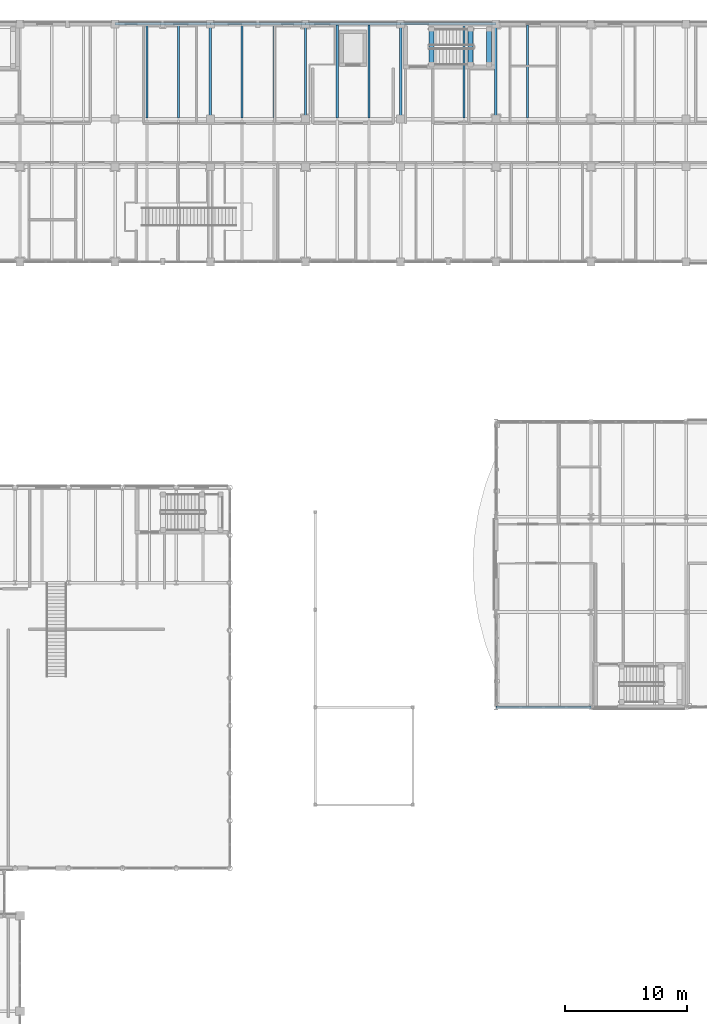
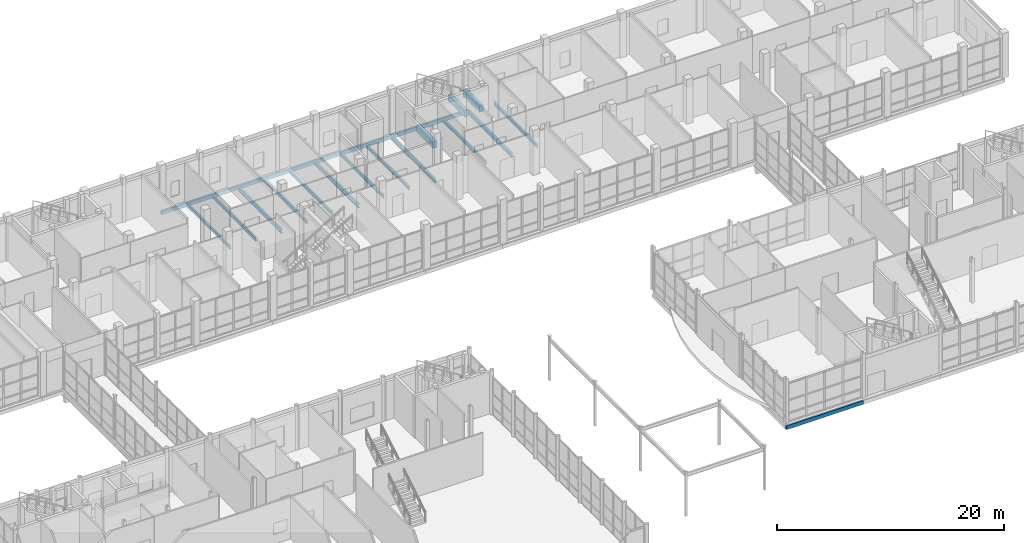
# One storey, part 58 of 131: 20 beams.
"""IFC4 building model written with IfcOpenShell, lengths in metres."""

import ifcopenshell
import ifcopenshell.guid

model = None  # the IFC model being written
_history = None  # IfcOwnerHistory: only IFC2X3 demands one
_inside = {}  # id of a spatial element -> (the spatial element, [elements in it])
_under = {}  # id of a project, library or spatial element -> (it, [spatial elements below it])
_declared = {}  # id of a project -> (the project, [libraries it declares])
_typed = {}  # id of a type object -> (the type object, [elements of that type])
_made_of = {}  # id of a material, layer set ... -> (it, [elements and type objects made of it])


def new_model(schema):
    """Start an empty IFC model of exactly this schema.

    Asked for "IFC4X3", IfcOpenShell would pick the latest addendum, in which some entities
    have other attributes; the version numbers below select the first issue.
    IFC2X3 requires an IfcOwnerHistory on every rooted entity: one is made here for all.
    """
    global model, _history
    if schema == "IFC4X3":
        model = ifcopenshell.file(schema_version=(4, 3, 0, 0))
    else:
        model = ifcopenshell.file(schema=schema)
    _inside.clear()
    _under.clear()
    _declared.clear()
    _typed.clear()
    _made_of.clear()
    _history = None
    if model.schema == "IFC2X3":
        org = make("IfcOrganization", Name="unknown")
        user = make(
            "IfcPersonAndOrganization",
            ThePerson=make("IfcPerson", FamilyName="unknown"),
            TheOrganization=org,
        )
        app = make(
            "IfcApplication",
            ApplicationDeveloper=org,
            Version="unknown",
            ApplicationFullName="unknown",
            ApplicationIdentifier="unknown",
        )
        _history = make(
            "IfcOwnerHistory",
            OwningUser=user,
            OwningApplication=app,
            ChangeAction="ADDED",
            CreationDate=0,
        )
    return model


def make(cls, **values):
    """One entity of the class cls with the attributes given. An attribute that is None is left unset."""
    return model.create_entity(
        cls, **{name: value for name, value in values.items() if value is not None}
    )


def rooted(cls, **values):
    """An entity with a GlobalId (a new one), such as an element, a storey or a relation."""
    return make(cls, GlobalId=ifcopenshell.guid.new(), OwnerHistory=_history, **values)


def si_unit(unit_type, name, prefix=None):
    """IfcSIUnit, for example si_unit("LENGTHUNIT", "METRE", prefix="MILLI")."""
    return make("IfcSIUnit", UnitType=unit_type, Prefix=prefix, Name=name)


def assignment(units):
    """IfcUnitAssignment: the units of a project."""
    return None if units is None else make("IfcUnitAssignment", Units=units)


def point(xyz):
    """IfcCartesianPoint."""
    return None if xyz is None else make("IfcCartesianPoint", Coordinates=xyz)


def direction(xyz):
    """IfcDirection."""
    return None if xyz is None else make("IfcDirection", DirectionRatios=xyz)


def frame(location, z_axis=None, x_axis=None):
    """IfcAxis2Placement3D, a coordinate frame: its origin and axes. An axis left out is left unset."""
    return make(
        "IfcAxis2Placement3D",
        Location=point(location),
        Axis=direction(z_axis),
        RefDirection=direction(x_axis),
    )


def frame_2d(location, x_axis=None):
    """IfcAxis2Placement2D, a coordinate frame in the plane: its origin and x axis."""
    return make(
        "IfcAxis2Placement2D", Location=point(location), RefDirection=direction(x_axis)
    )


def origin():
    """The frame at (0, 0, 0) with its axes left unset."""
    return frame((0.0, 0.0, 0.0))


def origin_2d():
    """The frame at (0, 0) in the plane with its x axis left unset."""
    return frame_2d((0.0, 0.0))


def place(relative_to, where):
    """IfcLocalPlacement: puts the frame where relative to a parent placement (None: the world)."""
    return make(
        "IfcLocalPlacement", PlacementRelTo=relative_to, RelativePlacement=where
    )


def context(
    kind, dimensions, precision=None, world=None, true_north=None, identifier=None
):
    """IfcGeometricRepresentationContext, for example the 3D "Model" context."""
    return make(
        "IfcGeometricRepresentationContext",
        ContextIdentifier=identifier,
        ContextType=kind,
        CoordinateSpaceDimension=dimensions,
        Precision=precision,
        WorldCoordinateSystem=world,
        TrueNorth=true_north,
    )


def subcontext(parent, identifier, kind, view, scale=None):
    """IfcGeometricRepresentationSubContext, for example "Body" below "Model"."""
    return make(
        "IfcGeometricRepresentationSubContext",
        ContextIdentifier=identifier,
        ContextType=kind,
        ParentContext=parent,
        TargetScale=scale,
        TargetView=view,
    )


def project(units=None, contexts=None):
    """IfcProject with its units and contexts."""
    return rooted(
        "IfcProject",
        Name="project",
        RepresentationContexts=contexts,
        UnitsInContext=assignment(units),
    )


def spatial(cls, under=None, at=None, **own):
    """A site, building, storey or space (cls), placed at a placement, below another one or the project."""
    s = rooted(cls, ObjectPlacement=at, **own)
    if under is not None:
        _under.setdefault(under.id(), (under, []))[1].append(s)
    return s


def profile(cls, at=None, kind="AREA", **sizes):
    """A parametric profile (cls). Its sizes go by their IFC names, for example OverallWidth=200.0."""
    return make(cls, ProfileType=kind, Position=at, **sizes)


def rectangle(**sizes):
    """IfcRectangleProfileDef."""
    return profile("IfcRectangleProfileDef", **sizes)


def hollow_rectangle(**sizes):
    """IfcRectangleHollowProfileDef."""
    return profile("IfcRectangleHollowProfileDef", **sizes)


def i_section(**sizes):
    """IfcIShapeProfileDef."""
    return profile("IfcIShapeProfileDef", **sizes)


def extrude(swept, where, along, depth):
    """IfcExtrudedAreaSolid: the profile swept, set in the frame where, extruded along a direction by depth."""
    return make(
        "IfcExtrudedAreaSolid",
        SweptArea=swept,
        Position=where,
        ExtrudedDirection=direction(along),
        Depth=depth,
    )


def shape(context_of_items, identifier, shape_type, items):
    """IfcShapeRepresentation: the items that make up one representation, for example the "Body"."""
    return make(
        "IfcShapeRepresentation",
        ContextOfItems=context_of_items,
        RepresentationIdentifier=identifier,
        RepresentationType=shape_type,
        Items=items,
    )


def material(Name=None, Category=None):
    """IfcMaterial."""
    return make("IfcMaterial", Name=Name, Category=Category)


def material_profile(
    of_material, cross_section, Name=None, Category=None, Priority=None
):
    """IfcMaterialProfile: a cross section and its material."""
    return make(
        "IfcMaterialProfile",
        Name=Name,
        Material=of_material,
        Profile=cross_section,
        Priority=Priority,
        Category=Category,
    )


def profile_set(profiles, Name=None, composite=None):
    """IfcMaterialProfileSet."""
    return make(
        "IfcMaterialProfileSet",
        Name=Name,
        MaterialProfiles=profiles,
        CompositeProfile=composite,
    )


def made_of(thing, what):
    """Note that an element or type object is made of a material, layer set ...; save() writes the relation."""
    if what is not None:
        _made_of.setdefault(what.id(), (what, []))[1].append(thing)
    return thing


def type_object(cls, material=None, **own):
    """A type object (cls), such as IfcWallType, which elements share."""
    return made_of(rooted(cls, **own), material)


def element(
    cls,
    number,
    at=None,
    inside=None,
    cuts=None,
    type_object=None,
    material=None,
    context=None,
    identifier="Body",
    shape_type=None,
    held_by="IfcProductDefinitionShape",
    body=None,
    shapes=None,
    **own,
):
    """One element of the class cls, such as IfcWall. Its Tag is "e" and its number.

    at: its placement. inside: the storey or other place that contains it. cuts: it is an
    opening in that element (IfcRelVoidsElement). A single representation is given by context,
    identifier, shape_type and body (its items); several are given by shapes. held_by: the class
    of the entity that holds the representations. save() writes the other relations.
    """
    e = rooted(cls, Tag="e%d" % number, ObjectPlacement=at, **own)
    if body is not None:
        shapes = [shape(context, identifier, shape_type, body)]
    if shapes is not None:
        e.Representation = make(held_by, Representations=shapes)
    if inside is not None:
        _inside.setdefault(inside.id(), (inside, []))[1].append(e)
    if cuts is not None:
        rooted(
            "IfcRelVoidsElement", RelatingBuildingElement=cuts, RelatedOpeningElement=e
        )
    if type_object is not None:
        _typed.setdefault(type_object.id(), (type_object, []))[1].append(e)
    return made_of(e, material)


def aggregate(whole, parts):
    """IfcRelAggregates: a whole, such as a stair, and the parts it consists of."""
    return rooted("IfcRelAggregates", RelatingObject=whole, RelatedObjects=parts)


def save(model, path):
    """Write the relations noted so far, then the file.

    IfcRelAggregates (storeys below a building ...), IfcRelContainedInSpatialStructure (elements
    in a storey), IfcRelDefinesByType, IfcRelAssociatesMaterial and IfcRelDeclares: one each for
    every whole, place, type object, material and project.
    """
    for whole, parts in _under.values():
        aggregate(whole, parts)
    for where, things in _inside.values():
        rooted(
            "IfcRelContainedInSpatialStructure",
            RelatedElements=things,
            RelatingStructure=where,
        )
    for kind, things in _typed.values():
        rooted("IfcRelDefinesByType", RelatedObjects=things, RelatingType=kind)
    for what, things in _made_of.values():
        rooted("IfcRelAssociatesMaterial", RelatedObjects=things, RelatingMaterial=what)
    for by, libraries in _declared.values():
        rooted("IfcRelDeclares", RelatingContext=by, RelatedDefinitions=libraries)
    model.write(path)


model = new_model("IFC4")

# Units and contexts
model_context = context("Model", 3, precision=1e-05, world=origin(), true_north=direction((0.0, 1.0)))
body_context = subcontext(model_context, "Body", "Model", "MODEL_VIEW")
ifc_project = project(units=[si_unit("LENGTHUNIT", "METRE"), si_unit("AREAUNIT", "SQUARE_METRE"), si_unit("VOLUMEUNIT", "CUBIC_METRE"), si_unit("PLANEANGLEUNIT", "RADIAN"), si_unit("MASSUNIT", "GRAM", prefix="KILO")], contexts=[model_context])

# Site, building, storey
site_placement = place(None, origin())
site = spatial("IfcSite", under=ifc_project, at=site_placement, CompositionType="ELEMENT")
building_placement = place(site_placement, origin())
building = spatial("IfcBuilding", under=site, at=building_placement, Name="Celorna Specialist Clinic", CompositionType="ELEMENT")
storey_placement = place(building_placement, origin())
storey = spatial("IfcBuildingStorey", under=building, at=storey_placement, Name="L00", CompositionType="ELEMENT", Elevation=0.0)

# Beams
ifc_material_1 = material(Name="Steel S355", Category="steel")
ifc_material_profile_1 = material_profile(ifc_material_1, i_section(OverallWidth=0.18994140625, OverallDepth=0.449951171875, WebThickness=0.009521484375, FlangeThickness=0.0146484375, at=origin_2d()), Name="IPE 450")
ifc_profile_set_1 = profile_set([ifc_material_profile_1], Name="Steel S355")
beam_type_1 = type_object("IfcBeamType", Name="BM-09", PredefinedType="BEAM", material=ifc_profile_set_1)
for number, where, z_axis, x_axis, name in (
    (1, (101.39990234375, 108.199951171875, -0.52490234375), (0.0, 1.0, 0.0), (-1.0, 0.0, 0.0), "Transverse girder BM-09 #753"),
    (2, (109.199951171875, 108.199951171875, -0.52490234375), (0.0, 1.0, 0.0), (-1.0, 0.0, 0.0), "Transverse girder BM-09 #756"),
    (3, (117.0, 108.199951171875, -0.52490234375), (0.0, 1.0, 0.0), (-1.0, 0.0, 0.0), "Transverse girder BM-09 #759"),
    (4, (124.800048828125, 108.199951171875, -0.52490234375), (0.0, 1.0, 0.0), (-1.0, 0.0, 0.0), "Transverse girder BM-09 #762"),
):
    element("IfcBeam", number, at=place(storey_placement, frame(where, z_axis=z_axis, x_axis=x_axis)), inside=storey, type_object=beam_type_1, Name=name, PredefinedType="BEAM", context=body_context, shape_type="SweptSolid", body=[
        extrude(i_section(OverallWidth=0.18994140625, OverallDepth=0.449951171875, WebThickness=0.009521484375, FlangeThickness=0.0146484375, at=origin_2d()), origin(), (0.0, 0.0, 1.0), 7.800048828125),
    ])
ifc_material_profile_2 = material_profile(ifc_material_1, i_section(OverallWidth=0.169921875, OverallDepth=0.360107421875, WebThickness=0.008056640625, FlangeThickness=0.0126953125, at=origin_2d()), Name="IPE 360")
ifc_profile_set_2 = profile_set([ifc_material_profile_2], Name="Steel S355")
beam_type_2 = type_object("IfcBeamType", Name="BM-11", PredefinedType="JOIST", material=ifc_profile_set_2)
for number, where, z_axis, x_axis, name in (
    (5, (96.199951171875, 108.2880859375, -0.47998046875), (0.0, 1.0, 0.0), (-1.0, 0.0, 0.0), "Secondary floor joist BM-11 #817"),
    (6, (98.800048828125, 108.2880859375, -0.47998046875), (0.0, 1.0, 0.0), (-1.0, 0.0, 0.0), "Secondary floor joist BM-11 #818"),
    (7, (104.0, 108.2880859375, -0.47998046875), (0.0, 1.0, 0.0), (-1.0, 0.0, 0.0), "Secondary floor joist BM-11 #823"),
    (8, (106.60009765625, 108.2880859375, -0.47998046875), (0.0, 1.0, 0.0), (-1.0, 0.0, 0.0), "Secondary floor joist BM-11 #824"),
    (9, (111.800048828125, 108.2880859375, -0.47998046875), (0.0, 1.0, 0.0), (-1.0, 0.0, 0.0), "Secondary floor joist BM-11 #829"),
    (10, (114.39990234375, 108.2880859375, -0.47998046875), (0.0, 1.0, 0.0), (-1.0, 0.0, 0.0), "Secondary floor joist BM-11 #830"),
    (11, (122.199951171875, 108.2880859375, -0.47998046875), (0.0, 1.0, 0.0), (-1.0, 0.0, 0.0), "Secondary floor joist BM-11 #835"),
    (12, (127.39990234375, 108.2880859375, -0.47998046875), (0.0, 1.0, 0.0), (-1.0, 0.0, 0.0), "Secondary floor joist BM-11 #840"),
):
    element("IfcBeam", number, at=place(storey_placement, frame(where, z_axis=z_axis, x_axis=x_axis)), inside=storey, type_object=beam_type_2, Name=name, PredefinedType="JOIST", context=body_context, shape_type="SweptSolid", body=[
        extrude(i_section(OverallWidth=0.169921875, OverallDepth=0.360107421875, WebThickness=0.008056640625, FlangeThickness=0.0126953125, at=origin_2d()), origin(), (0.0, 0.0, 1.0), 7.6240234375),
    ])
ifc_material_profile_3 = material_profile(ifc_material_1, hollow_rectangle(XDim=0.199951171875, YDim=0.39990234375, WallThickness=0.011962890625, at=origin_2d()), Name="RHS 200x400x12")
ifc_profile_set_3 = profile_set([ifc_material_profile_3], Name="Steel S355")
beam_type_3 = type_object("IfcBeamType", Name="BM-15", PredefinedType="SPANDREL", material=ifc_profile_set_3)
beam_1_placement = place(storey_placement, frame((124.800048828125, 60.0, -0.5400390625), z_axis=(1.0, 0.0, 0.0), x_axis=(0.0, 1.0, 0.0)))
element("IfcBeam", 13, at=beam_1_placement, inside=storey, type_object=beam_type_3, Name="Spandrel beam BM-15 #534", PredefinedType="SPANDREL", context=body_context, shape_type="SweptSolid", body=[
    extrude(hollow_rectangle(XDim=0.199951171875, YDim=0.39990234375, WallThickness=0.011962890625, at=origin_2d()), origin(), (0.0, 0.0, 1.0), 7.800048828125),
])
beam_2_placement = place(storey_placement, frame((93.60009765625, 116.0, -0.5), z_axis=(1.0, 0.0, 0.0), x_axis=(0.0, 1.0, 0.0)))
element("IfcBeam", 14, at=beam_2_placement, inside=storey, type_object=beam_type_3, Name="Spandrel beam BM-15 #720", PredefinedType="SPANDREL", context=body_context, shape_type="SweptSolid", body=[
    extrude(hollow_rectangle(XDim=0.199951171875, YDim=0.39990234375, WallThickness=0.011962890625, at=origin_2d()), origin(), (0.0, 0.0, 1.0), 7.7998046875),
])
for number, where, z_axis, x_axis, name in (
    (15, (101.39990234375, 116.0, -0.5), (1.0, 0.0, 0.0), (0.0, 1.0, 0.0), "Spandrel beam BM-15 #721"),
    (16, (109.199951171875, 116.0, -0.5), (1.0, 0.0, 0.0), (0.0, 1.0, 0.0), "Spandrel beam BM-15 #722"),
    (17, (117.0, 116.0, -0.5), (1.0, 0.0, 0.0), (0.0, 1.0, 0.0), "Spandrel beam BM-15 #723"),
):
    element("IfcBeam", number, at=place(storey_placement, frame(where, z_axis=z_axis, x_axis=x_axis)), inside=storey, type_object=beam_type_3, Name=name, PredefinedType="SPANDREL", context=body_context, shape_type="SweptSolid", body=[
        extrude(hollow_rectangle(XDim=0.199951171875, YDim=0.39990234375, WallThickness=0.011962890625, at=origin_2d()), origin(), (0.0, 0.0, 1.0), 7.800048828125),
    ])
ifc_material_2 = material(Name="Concrete C35/45", Category="concrete")
ifc_material_profile_4 = material_profile(ifc_material_2, rectangle(XDim=0.39990234375, YDim=0.699951171875, at=origin_2d()), Name="RC 400x700")
ifc_profile_set_4 = profile_set([ifc_material_profile_4], Name="Concrete C35/45")
beam_type_4 = type_object("IfcBeamType", Name="BM-19", PredefinedType="BEAM", material=ifc_profile_set_4)
for number, where, z_axis, x_axis, name in (
    (18, (119.52001953125, 112.669921875, -0.27490234375), (0.0, 1.0, 0.0), (-1.0, 0.0, 0.0), "Stair ST-03 floor landing trimmer beam L00"),
    (19, (122.719970703125, 112.669921875, 1.97509765625), (0.0, 1.0, 0.0), (-1.0, 0.0, 0.0), "Stair ST-03 half-landing beam L00"),
    (20, (124.239990234375, 112.669921875, 1.97509765625), (0.0, 1.0, 0.0), (-1.0, 0.0, 0.0), "Stair ST-03 half-landing beam L00"),
):
    element("IfcBeam", number, at=place(storey_placement, frame(where, z_axis=z_axis, x_axis=x_axis)), inside=storey, type_object=beam_type_4, Name=name, PredefinedType="BEAM", context=body_context, shape_type="SweptSolid", body=[
        extrude(rectangle(XDim=0.39990234375, YDim=0.699951171875, at=origin_2d()), origin(), (0.0, 0.0, 1.0), 2.900146484375),
    ])

save(model, "model.ifc")
